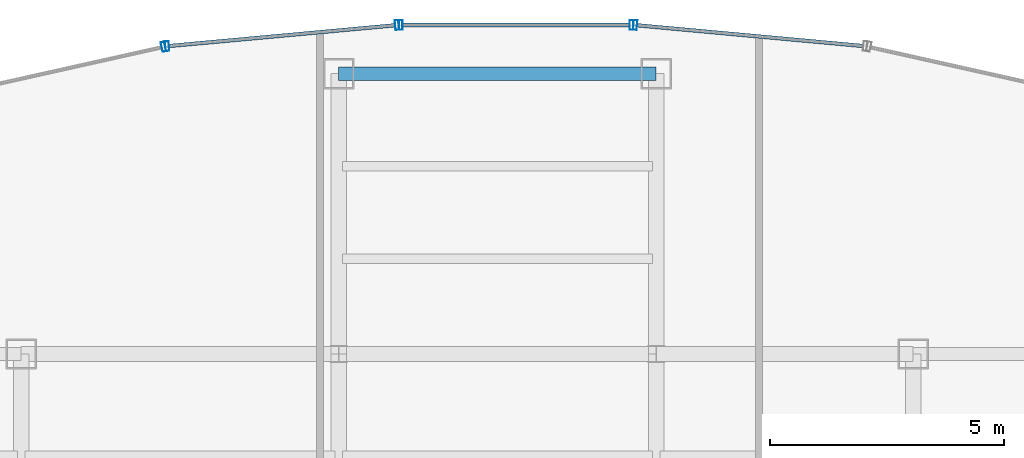
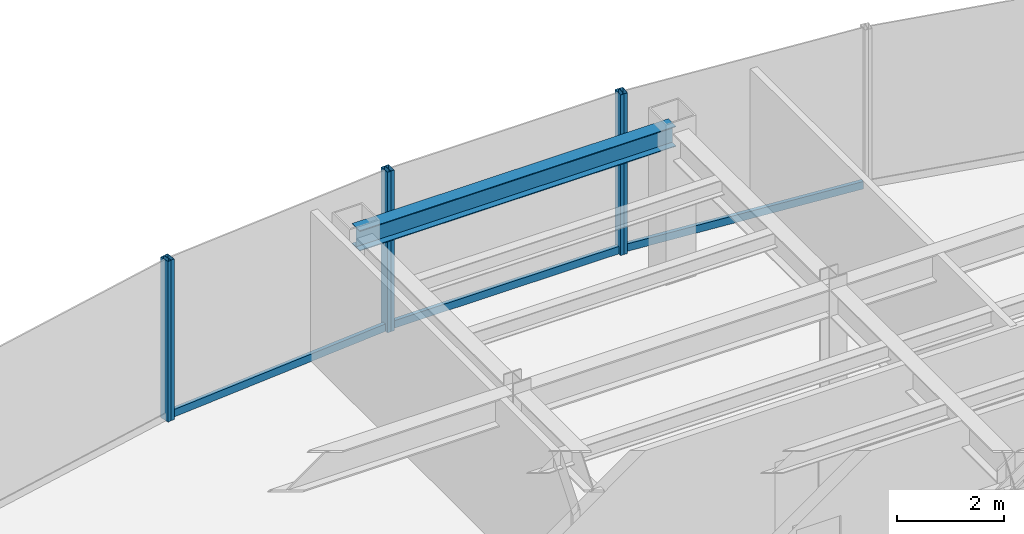
# One storey, part 16 of 25: 9 members, 1 beam, 4 elements without a shape of their own.
"""IFC4 building model written with IfcOpenShell, lengths in metres."""

from ifc_helpers import new_model, si_unit, derived_unit, direction, frame, origin, origin_2d, place, context, subcontext, project, spatial, hollow_rectangle, i_section, extrude, source, transform, mapped, material, material_profile, profile_set, type_object, element, aggregate, save


model = new_model("IFC4")

# Units and contexts
model_context = context("Model", 3, precision=1e-05, world=origin(), true_north=direction((0.0, 1.0)))
body_context = subcontext(model_context, "Body", "Model", "MODEL_VIEW")
ifc_project = project(units=[si_unit("LENGTHUNIT", "METRE"), si_unit("AREAUNIT", "SQUARE_METRE"), si_unit("VOLUMEUNIT", "CUBIC_METRE"), si_unit("PLANEANGLEUNIT", "RADIAN"), si_unit("MASSUNIT", "GRAM", prefix="KILO"), derived_unit("THERMALTRANSMITTANCEUNIT", [(si_unit("POWERUNIT", "WATT"), 1), (si_unit("LENGTHUNIT", "METRE"), -2), (si_unit("THERMODYNAMICTEMPERATUREUNIT", "KELVIN"), -1)])], contexts=[model_context])

# Site, building, storey
site_placement = place(None, origin())
site = spatial("IfcSite", under=ifc_project, at=site_placement, CompositionType="ELEMENT")
building_placement = place(site_placement, origin())
building = spatial("IfcBuilding", under=site, at=building_placement, Name="Skarnbrae Concourse Arena and Tower", CompositionType="ELEMENT")
storey_placement = place(building_placement, frame((0.0, 0.0, 158.85009765625)))
storey = spatial("IfcBuildingStorey", under=building, at=storey_placement, Name="L40", CompositionType="ELEMENT", Elevation=158.85009765625)

# Beam
ifc_material_1 = material(Name="Steel CSA G40.21 350W", Category="steel")
ifc_material_profile_1 = material_profile(ifc_material_1, i_section(OverallWidth=0.280029296875, OverallDepth=0.462890625, WebThickness=0.0107421875, FlangeThickness=0.017333984375, at=origin_2d()), Name="W460X113")
ifc_profile_set_1 = profile_set([ifc_material_profile_1], Name="Steel CSA G40.21 350W")
beam_type = type_object("IfcBeamType", Name="BM-SPAN-W460X113", PredefinedType="SPANDREL", material=ifc_profile_set_1)
shared_shape_1 = source(origin(), body_context, "Body", "SweptSolid", [
    extrude(i_section(OverallWidth=0.280029296875, OverallDepth=0.462890625, WebThickness=0.0107421875, FlangeThickness=0.017333984375, at=origin_2d()), origin(), (0.0, 0.0, 1.0), 6.800048828125),
])
beam_placement = place(storey_placement, frame((21.199951171875, 40.39990234375, 3.16845703125), z_axis=(1.0, 0.0, 0.0), x_axis=(0.0, 1.0, 0.0)))
element("IfcBeam", 1, at=beam_placement, inside=storey, type_object=beam_type, Name="L40 Perimeter spandrel Y40.4-1", PredefinedType="SPANDREL", context=body_context, shape_type="MappedRepresentation", body=[
    mapped(shared_shape_1, transform((0.0, 0.0, 0.0))),
])

# Curtain wall, member
ifc_material_2 = material(Name="Bronze anodised aluminium 6063-T6", Category="aluminium")
curtain_wall_type = type_object("IfcCurtainWallType", Name="CW-SYS-03-PORTAL", PredefinedType="USERDEFINED", material=ifc_material_2)
curtain_wall_1_placement = place(storey_placement, origin())
curtain_wall_1 = element("IfcCurtainWall", 2, at=curtain_wall_1_placement, inside=storey, type_object=curtain_wall_type, Name="L40 Unitised curtain wall CW-L40-E10", ObjectType="UNITISED CURTAIN WALL", PredefinedType="USERDEFINED")
ifc_material_profile_2 = material_profile(ifc_material_2, hollow_rectangle(XDim=0.080078125, YDim=0.2099609375, WallThickness=0.00439453125, at=origin_2d()), Name="ALU-MULL-80X210")
ifc_profile_set_2 = profile_set([ifc_material_profile_2], Name="Bronze anodised aluminium 6063-T6")
member_type_1 = type_object("IfcMemberType", Name="CWM-CW-03", PredefinedType="MULLION", material=ifc_profile_set_2)
shared_shape_2 = source(origin(), body_context, "Body", "SweptSolid", [
    extrude(hollow_rectangle(XDim=0.080078125, YDim=0.2099609375, WallThickness=0.00439453125, at=origin_2d()), origin(), (0.0, 0.0, 1.0), 3.64990234375),
])
member_1_placement = place(storey_placement, frame((27.551025390625, 41.44189453125, 0.0), z_axis=(0.0, 0.0, 1.0), x_axis=(-0.995819926016, 0.091338244731, 0.0)))
member_1 = element("IfcMember", 3, at=member_1_placement, type_object=member_type_1, Name="CW-L40-E10 Mullion 2", PredefinedType="MULLION", context=body_context, shape_type="MappedRepresentation", body=[
    mapped(shared_shape_2, transform((0.0, 0.0, 0.0))),
])

# Curtain wall, members
curtain_wall_2_placement = place(storey_placement, origin())
curtain_wall_2 = element("IfcCurtainWall", 4, at=curtain_wall_2_placement, inside=storey, type_object=curtain_wall_type, Name="L40 Unitised curtain wall CW-L40-E11", ObjectType="UNITISED CURTAIN WALL", PredefinedType="USERDEFINED")
member_2_placement = place(storey_placement, frame((27.47119140625, 41.445556640625, 0.0), z_axis=(0.0, 0.0, 1.0), x_axis=(-1.0, 0.0, 0.0)))
member_2 = element("IfcMember", 5, at=member_2_placement, type_object=member_type_1, Name="CW-L40-E11 Mullion 1", PredefinedType="MULLION", context=body_context, shape_type="MappedRepresentation", body=[
    mapped(shared_shape_2, transform((0.0, 0.0, 0.0))),
])
member_3_placement = place(storey_placement, frame((22.52880859375, 41.445556640625, 0.0), z_axis=(0.0, 0.0, 1.0), x_axis=(-1.0, 0.0, 0.0)))
member_3 = element("IfcMember", 6, at=member_3_placement, type_object=member_type_1, Name="CW-L40-E11 Mullion 2", PredefinedType="MULLION", context=body_context, shape_type="MappedRepresentation", body=[
    mapped(shared_shape_2, transform((0.0, 0.0, 0.0))),
])

curtain_wall_3_placement = place(storey_placement, origin())
curtain_wall_3 = element("IfcCurtainWall", 7, at=curtain_wall_3_placement, inside=storey, type_object=curtain_wall_type, Name="L40 Unitised curtain wall CW-L40-E12", ObjectType="UNITISED CURTAIN WALL", PredefinedType="USERDEFINED")
member_4_placement = place(storey_placement, frame((22.448974609375, 41.44189453125, 0.0), z_axis=(0.0, 0.0, 1.0), x_axis=(-0.995819926016, -0.091338244731, 0.0)))
member_4 = element("IfcMember", 8, at=member_4_placement, type_object=member_type_1, Name="CW-L40-E12 Mullion 1", PredefinedType="MULLION", context=body_context, shape_type="MappedRepresentation", body=[
    mapped(shared_shape_2, transform((0.0, 0.0, 0.0))),
])
member_5_placement = place(storey_placement, frame((17.527587890625, 40.990478515625, 0.0), z_axis=(0.0, 0.0, 1.0), x_axis=(-0.995819926016, -0.091338244731, 0.0)))
member_5 = element("IfcMember", 9, at=member_5_placement, type_object=member_type_1, Name="CW-L40-E12 Mullion 2", PredefinedType="MULLION", context=body_context, shape_type="MappedRepresentation", body=[
    mapped(shared_shape_2, transform((0.0, 0.0, 0.0))),
])

# Curtain wall, member
curtain_wall_4_placement = place(storey_placement, origin())
curtain_wall_4 = element("IfcCurtainWall", 10, at=curtain_wall_4_placement, inside=storey, type_object=curtain_wall_type, Name="L40 Unitised curtain wall CW-L40-E13", ObjectType="UNITISED CURTAIN WALL", PredefinedType="USERDEFINED")
member_6_placement = place(storey_placement, frame((17.44873046875, 40.978271484375, 0.0), z_axis=(0.0, 0.0, 1.0), x_axis=(-0.975936175393, -0.218056372433, 0.0)))
member_6 = element("IfcMember", 11, at=member_6_placement, type_object=member_type_1, Name="CW-L40-E13 Mullion 1", PredefinedType="MULLION", context=body_context, shape_type="MappedRepresentation", body=[
    mapped(shared_shape_2, transform((0.0, 0.0, 0.0))),
])
aggregate(curtain_wall_4, [member_6])

# Member
ifc_material_profile_3 = material_profile(ifc_material_2, hollow_rectangle(XDim=0.080078125, YDim=0.169921875, WallThickness=0.00439453125, at=origin_2d()), Name="ALU-TRAN-80X170")
ifc_profile_set_3 = profile_set([ifc_material_profile_3], Name="Bronze anodised aluminium 6063-T6")
member_type_2 = type_object("IfcMemberType", Name="CWT-CW-03", PredefinedType="USERDEFINED", material=ifc_profile_set_3)
shared_shape_3 = source(origin(), body_context, "Body", "SweptSolid", [
    extrude(hollow_rectangle(XDim=0.080078125, YDim=0.169921875, WallThickness=0.00439453125, at=origin_2d()), origin(), (0.0, 0.0, 1.0), 4.86181640625),
])
member_7_placement = place(storey_placement, frame((32.4326171875, 40.994140625, 0.0849609375), z_axis=(-0.995819615433, 0.091341630804, 0.0), x_axis=(-0.091341630804, -0.995819615433, 0.0)))
member_7 = element("IfcMember", 12, at=member_7_placement, type_object=member_type_2, Name="CW-L40-E10 Transom 1", ObjectType="TRANSOM", PredefinedType="USERDEFINED", context=body_context, shape_type="MappedRepresentation", body=[
    mapped(shared_shape_3, transform((0.0, 0.0, 0.0))),
])

aggregate(curtain_wall_1, [member_1, member_7])

member_8_placement = place(storey_placement, frame((22.408935546875, 41.438232421875, 0.0849609375), z_axis=(-0.995819615433, -0.091341630804, 0.0), x_axis=(0.091341630804, -0.995819615433, 0.0)))
member_8 = element("IfcMember", 13, at=member_8_placement, type_object=member_type_2, Name="CW-L40-E12 Transom 1", ObjectType="TRANSOM", PredefinedType="USERDEFINED", context=body_context, shape_type="MappedRepresentation", body=[
    mapped(shared_shape_3, transform((0.0, 0.0, 0.0))),
])

aggregate(curtain_wall_3, [member_4, member_5, member_8])

shared_shape_4 = source(origin(), body_context, "Body", "SweptSolid", [
    extrude(hollow_rectangle(XDim=0.080078125, YDim=0.169921875, WallThickness=0.00439453125, at=origin_2d()), origin(), (0.0, 0.0, 1.0), 4.86279296875),
])
member_9_placement = place(storey_placement, frame((27.431396484375, 41.445556640625, 0.0849609375), z_axis=(-1.0, 0.0, 0.0), x_axis=(0.0, -1.0, 0.0)))
member_9 = element("IfcMember", 14, at=member_9_placement, type_object=member_type_2, Name="CW-L40-E11 Transom 1", ObjectType="TRANSOM", PredefinedType="USERDEFINED", context=body_context, shape_type="MappedRepresentation", body=[
    mapped(shared_shape_4, transform((0.0, 0.0, 0.0))),
])

aggregate(curtain_wall_2, [member_2, member_3, member_9])

save(model, "model.ifc")
